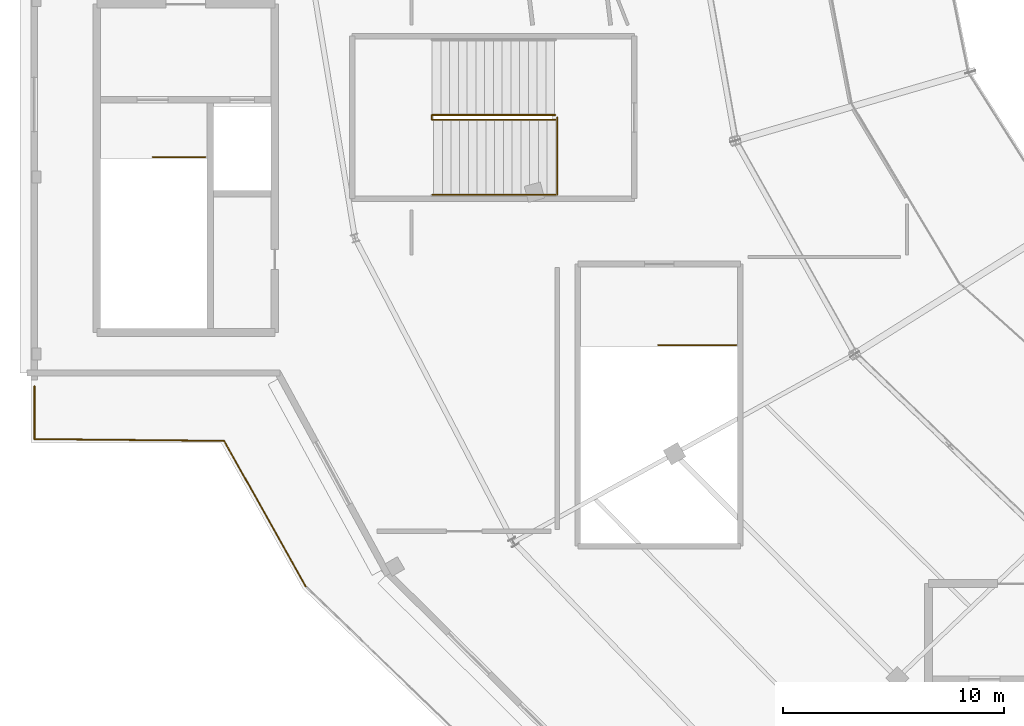
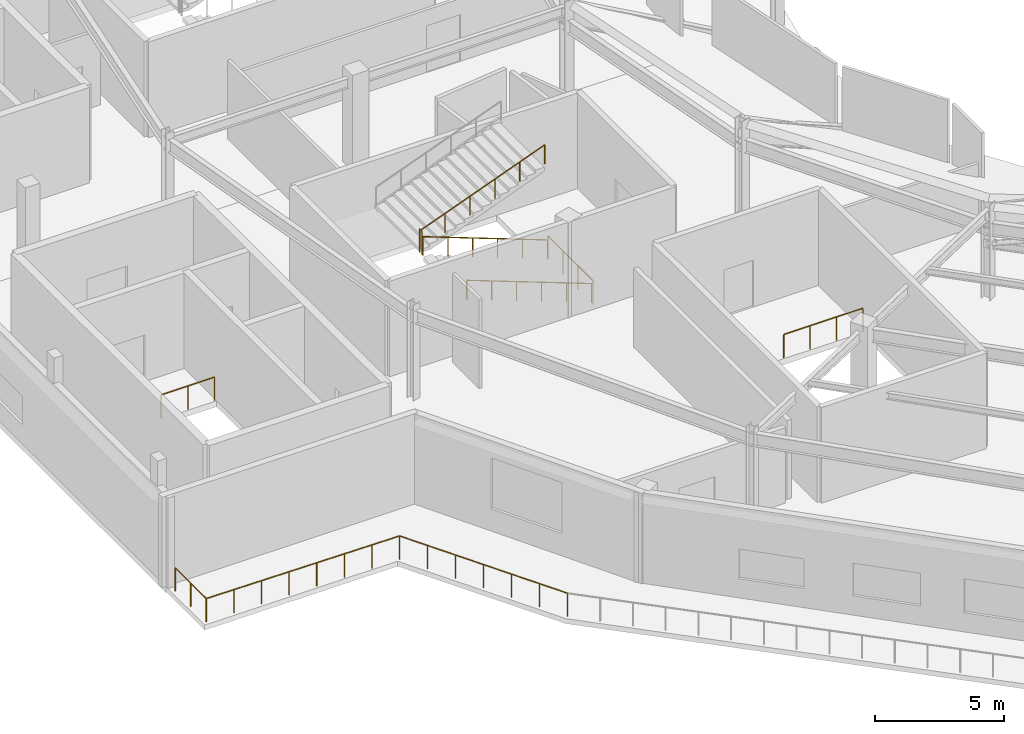
# One storey, part 47 of 63: 10 railings.
"""IFC4 building model written with IfcOpenShell, lengths in metres."""

from ifc_helpers import new_model, si_unit, direction, frame, origin, origin_2d, place, context, subcontext, project, spatial, circle, extrude, material, type_object, element, save


model = new_model("IFC4")

# Units and contexts
model_context = context("Model", 3, precision=1e-05, world=origin(), true_north=direction((0.0, 1.0)))
body_context = subcontext(model_context, "Body", "Model", "MODEL_VIEW")
ifc_project = project(units=[si_unit("LENGTHUNIT", "METRE"), si_unit("AREAUNIT", "SQUARE_METRE"), si_unit("VOLUMEUNIT", "CUBIC_METRE"), si_unit("PLANEANGLEUNIT", "RADIAN"), si_unit("MASSUNIT", "GRAM", prefix="KILO")], contexts=[model_context])

# Site, building, storey
site_placement = place(None, origin())
site = spatial("IfcSite", under=ifc_project, at=site_placement, CompositionType="ELEMENT")
building_placement = place(site_placement, origin())
building = spatial("IfcBuilding", under=site, at=building_placement, Name="Kalgoora Escarpment Arena", CompositionType="ELEMENT")
storey_placement = place(building_placement, frame((0.0, 0.0, 14.39990234375)))
storey = spatial("IfcBuildingStorey", under=building, at=storey_placement, Name="L03", CompositionType="ELEMENT", Elevation=14.39990234375)

# Railings
ifc_material_1 = material(Name="Galvanised & powdercoated tubular steel", Category="steel")
railing_type_1 = type_object("IfcRailingType", Name="RAL-GUARD-1120", PredefinedType="GUARDRAIL", material=ifc_material_1)
railing_1_placement = place(storey_placement, frame((16.2900390625, 52.909912109375, 0.0)))
element("IfcRailing", 1, at=railing_1_placement, inside=storey, type_object=railing_type_1, Name="ST02 top landing well guardrail", PredefinedType="GUARDRAIL", context=body_context, shape_type="SweptSolid", body=[
    extrude(circle(Radius=0.02392578125, at=origin_2d()), frame((0.0, 0.0, 1.09619140625), z_axis=(-1.0, 0.0, 0.0), x_axis=(0.0, -1.0, 0.0)), (0.0, 0.0, 1.0), 2.380126953125),
    extrude(circle(Radius=0.02099609375, at=origin_2d()), origin(), (0.0, 0.0, 1.0), 1.072021484375),
    extrude(circle(Radius=0.02099609375, at=origin_2d()), frame((-1.18994140625, 0.0, 0.0)), (0.0, 0.0, 1.0), 1.072021484375),
    extrude(circle(Radius=0.02099609375, at=origin_2d()), frame((-2.380126953125, 0.0, 0.0)), (0.0, 0.0, 1.0), 1.072021484375),
])
railing_2_placement = place(storey_placement, frame((26.52001953125, 54.60009765625, 2.25)))
element("IfcRailing", 2, at=railing_2_placement, inside=storey, type_object=railing_type_1, Name="ST18 L03 half-landing well guard", PredefinedType="GUARDRAIL", context=body_context, shape_type="SweptSolid", body=[
    extrude(circle(Radius=0.02392578125, at=origin_2d()), frame((0.0, 0.0, 1.09619140625), z_axis=(0.0, 1.0, 0.0), x_axis=(-1.0, 0.0, 0.0)), (0.0, 0.0, 1.0), 0.199951171875),
    extrude(circle(Radius=0.02099609375, at=origin_2d()), origin(), (0.0, 0.0, 1.0), 1.072021484375),
    extrude(circle(Radius=0.02099609375, at=origin_2d()), frame((0.0, 0.199951171875, 0.0)), (0.0, 0.0, 1.0), 1.072021484375),
])
railing_3_placement = place(storey_placement, frame((32.18994140625, 51.2099609375, 0.0)))
element("IfcRailing", 3, at=railing_3_placement, inside=storey, type_object=railing_type_1, Name="ST18 L03 floor landing well guard", PredefinedType="GUARDRAIL", context=body_context, shape_type="SweptSolid", body=[
    extrude(circle(Radius=0.02392578125, at=origin_2d()), frame((0.0, 0.0, 1.09619140625), z_axis=(0.0, 1.0, 0.0), x_axis=(-1.0, 0.0, 0.0)), (0.0, 0.0, 1.0), 3.489990234375),
    extrude(circle(Radius=0.02099609375, at=origin_2d()), origin(), (0.0, 0.0, 1.0), 1.072021484375),
    extrude(circle(Radius=0.02099609375, at=origin_2d()), frame((0.0, 1.163330078125, 0.0)), (0.0, 0.0, 1.0), 1.072021484375),
    extrude(circle(Radius=0.02099609375, at=origin_2d()), frame((0.0, 2.32666015625, 0.0)), (0.0, 0.0, 1.0), 1.072021484375),
    extrude(circle(Radius=0.02099609375, at=origin_2d()), frame((0.0, 3.489990234375, 0.0)), (0.0, 0.0, 1.0), 1.072021484375),
])
railing_4_placement = place(storey_placement, frame((40.2900390625, 44.409912109375, 0.0)))
element("IfcRailing", 4, at=railing_4_placement, inside=storey, type_object=railing_type_1, Name="ST20 top landing well guardrail", PredefinedType="GUARDRAIL", context=body_context, shape_type="SweptSolid", body=[
    extrude(circle(Radius=0.02392578125, at=origin_2d()), frame((0.0, 0.0, 1.09619140625), z_axis=(-1.0, 0.0, 0.0), x_axis=(0.0, -1.0, 0.0)), (0.0, 0.0, 1.0), 3.530029296875),
    extrude(circle(Radius=0.02099609375, at=origin_2d()), origin(), (0.0, 0.0, 1.0), 1.072021484375),
    extrude(circle(Radius=0.02099609375, at=origin_2d()), frame((-1.1767578125, 0.0, 0.0)), (0.0, 0.0, 1.0), 1.072021484375),
    extrude(circle(Radius=0.02099609375, at=origin_2d()), frame((-2.353271484375, 0.0, 0.0)), (0.0, 0.0, 1.0), 1.072021484375),
    extrude(circle(Radius=0.02099609375, at=origin_2d()), frame((-3.530029296875, 0.0, 0.0)), (0.0, 0.0, 1.0), 1.072021484375),
])
ifc_material_2 = material(Name="Brushed stainless steel 316 handrail", Category="steel")
railing_type_2 = type_object("IfcRailingType", Name="RAL-HAND-920", PredefinedType="HANDRAIL", material=ifc_material_2)
for number, where, name in (
    (5, (32.110107421875, 51.199951171875, 0.110107421875), "ST18 L03 pitched stair handrail F1L"),
    (6, (32.110107421875, 54.590087890625, 0.110107421875), "ST18 L03 pitched stair handrail F1R"),
):
    element("IfcRailing", number, at=place(storey_placement, frame(where)), inside=storey, type_object=railing_type_2, Name=name, PredefinedType="HANDRAIL", context=body_context, shape_type="SweptSolid", body=[
        extrude(circle(Radius=0.02392578125, at=origin_2d()), frame((0.0, 0.0, 0.89599609375), z_axis=(-0.935492612948, 0.0, 0.353346248203), x_axis=(0.0, -1.0, 0.0)), (0.0, 0.0, 1.0), 5.943359375),
        extrude(circle(Radius=0.02099609375, at=origin_2d()), origin(), (0.0, 0.0, 1.0), 0.871826171875),
        extrude(circle(Radius=0.02099609375, at=origin_2d()), frame((-1.112060546875, 0.0, 0.419921875)), (0.0, 0.0, 1.0), 0.871826171875),
        extrude(circle(Radius=0.02099609375, at=origin_2d()), frame((-2.22412109375, 0.0, 0.840087890625)), (0.0, 0.0, 1.0), 0.871826171875),
        extrude(circle(Radius=0.02099609375, at=origin_2d()), frame((-3.3359375, 0.0, 1.260009765625)), (0.0, 0.0, 1.0), 0.871826171875),
        extrude(circle(Radius=0.02099609375, at=origin_2d()), frame((-4.447998046875, 0.0, 1.68017578125)), (0.0, 0.0, 1.0), 0.871826171875),
        extrude(circle(Radius=0.02099609375, at=origin_2d()), frame((-5.56005859375, 0.0, 2.10009765625)), (0.0, 0.0, 1.0), 0.871826171875),
    ])
railing_5_placement = place(storey_placement, frame((26.550048828125, 54.81005859375, 2.360107421875)))
element("IfcRailing", 7, at=railing_5_placement, inside=storey, type_object=railing_type_2, Name="ST18 L03 pitched stair handrail F2L", PredefinedType="HANDRAIL", context=body_context, shape_type="SweptSolid", body=[
    extrude(circle(Radius=0.02392578125, at=origin_2d()), frame((0.0, 0.0, 0.89599609375), z_axis=(0.935492612948, 0.0, 0.353346248203), x_axis=(0.0, 1.0, 0.0)), (0.0, 0.0, 1.0), 5.943359375),
    extrude(circle(Radius=0.02099609375, at=origin_2d()), origin(), (0.0, 0.0, 1.0), 0.871826171875),
    extrude(circle(Radius=0.02099609375, at=origin_2d()), frame((1.112060546875, 0.0, 0.419921875)), (0.0, 0.0, 1.0), 0.871826171875),
    extrude(circle(Radius=0.02099609375, at=origin_2d()), frame((2.22412109375, 0.0, 0.840087890625)), (0.0, 0.0, 1.0), 0.871826171875),
    extrude(circle(Radius=0.02099609375, at=origin_2d()), frame((3.3359375, 0.0, 1.260009765625)), (0.0, 0.0, 1.0), 0.871826171875),
    extrude(circle(Radius=0.02099609375, at=origin_2d()), frame((4.447998046875, 0.0, 1.68017578125)), (0.0, 0.0, 1.0), 0.871826171875),
    extrude(circle(Radius=0.02099609375, at=origin_2d()), frame((5.56005859375, 0.0, 2.10009765625)), (0.0, 0.0, 1.0), 0.871826171875),
])
ifc_material_3 = material(Name="Champagne anodised aluminium & laminated glass", Category="aluminium")
railing_type_3 = type_object("IfcRailingType", Name="RAL-TERR-1100", PredefinedType="GUARDRAIL", material=ifc_material_3)
railing_6_placement = place(storey_placement, frame((20.821044921875, 33.498779296875, 0.0)))
element("IfcRailing", 8, at=railing_6_placement, inside=storey, type_object=railing_type_3, Name="Upper Planted Elliptical Garden Terrace perimeter guardrail 005", PredefinedType="GUARDRAIL", context=body_context, shape_type="SweptSolid", body=[
    extrude(circle(Radius=0.02392578125, at=origin_2d()), frame((0.0, 0.0, 1.09619140625), z_axis=(-0.488863575181, 0.872360249473, 0.0), x_axis=(-0.872360249473, -0.488863575181, 0.0)), (0.0, 0.0, 1.0), 7.5419921875),
    extrude(circle(Radius=0.02099609375, at=origin_2d()), origin(), (0.0, 0.0, 1.0), 1.072021484375),
    extrude(circle(Radius=0.02099609375, at=origin_2d()), frame((-0.614501953125, 1.0966796875, 0.0)), (0.0, 0.0, 1.0), 1.072021484375),
    extrude(circle(Radius=0.02099609375, at=origin_2d()), frame((-1.22900390625, 2.193115234375, 0.0)), (0.0, 0.0, 1.0), 1.072021484375),
    extrude(circle(Radius=0.02099609375, at=origin_2d()), frame((-1.843505859375, 3.28955078125, 0.0)), (0.0, 0.0, 1.0), 1.072021484375),
    extrude(circle(Radius=0.02099609375, at=origin_2d()), frame((-2.4580078125, 4.38623046875, 0.0)), (0.0, 0.0, 1.0), 1.072021484375),
    extrude(circle(Radius=0.02099609375, at=origin_2d()), frame((-3.072509765625, 5.48291015625, 0.0)), (0.0, 0.0, 1.0), 1.072021484375),
    extrude(circle(Radius=0.02099609375, at=origin_2d()), frame((-3.68701171875, 6.579345703125, 0.0)), (0.0, 0.0, 1.0), 1.072021484375),
])
railing_7_placement = place(storey_placement, frame((17.134033203125, 40.078125, 0.0)))
element("IfcRailing", 9, at=railing_7_placement, inside=storey, type_object=railing_type_3, Name="Upper Planted Elliptical Garden Terrace perimeter guardrail 006", PredefinedType="GUARDRAIL", context=body_context, shape_type="SweptSolid", body=[
    extrude(circle(Radius=0.02392578125, at=origin_2d()), frame((0.0, 0.0, 1.09619140625), z_axis=(-0.999954506882, 0.009538562026, 0.0), x_axis=(-0.009538562026, -0.999954506882, 0.0)), (0.0, 0.0, 1.0), 8.574462890625),
    extrude(circle(Radius=0.02099609375, at=origin_2d()), origin(), (0.0, 0.0, 1.0), 1.072021484375),
    extrude(circle(Radius=0.02099609375, at=origin_2d()), frame((-1.224853515625, 0.01171875, 0.0)), (0.0, 0.0, 1.0), 1.072021484375),
    extrude(circle(Radius=0.02099609375, at=origin_2d()), frame((-2.44970703125, 0.0234375, 0.0)), (0.0, 0.0, 1.0), 1.072021484375),
    extrude(circle(Radius=0.02099609375, at=origin_2d()), frame((-3.674560546875, 0.03515625, 0.0)), (0.0, 0.0, 1.0), 1.072021484375),
    extrude(circle(Radius=0.02099609375, at=origin_2d()), frame((-4.8994140625, 0.046630859375, 0.0)), (0.0, 0.0, 1.0), 1.072021484375),
    extrude(circle(Radius=0.02099609375, at=origin_2d()), frame((-6.124267578125, 0.058349609375, 0.0)), (0.0, 0.0, 1.0), 1.072021484375),
    extrude(circle(Radius=0.02099609375, at=origin_2d()), frame((-7.34912109375, 0.070068359375, 0.0)), (0.0, 0.0, 1.0), 1.072021484375),
    extrude(circle(Radius=0.02099609375, at=origin_2d()), frame((-8.573974609375, 0.081787109375, 0.0)), (0.0, 0.0, 1.0), 1.072021484375),
])
railing_8_placement = place(storey_placement, frame((8.56005859375, 40.159912109375, 0.0)))
element("IfcRailing", 10, at=railing_8_placement, inside=storey, type_object=railing_type_3, Name="Upper Planted Elliptical Garden Terrace perimeter guardrail 007", PredefinedType="GUARDRAIL", context=body_context, shape_type="SweptSolid", body=[
    extrude(circle(Radius=0.02392578125, at=origin_2d()), frame((0.0, 0.0, 1.09619140625), z_axis=(0.0, 1.0, 0.0), x_axis=(-1.0, 0.0, 0.0)), (0.0, 0.0, 1.0), 2.39013671875),
    extrude(circle(Radius=0.02099609375, at=origin_2d()), origin(), (0.0, 0.0, 1.0), 1.072021484375),
    extrude(circle(Radius=0.02099609375, at=origin_2d()), frame((0.0, 1.195068359375, 0.0)), (0.0, 0.0, 1.0), 1.072021484375),
    extrude(circle(Radius=0.02099609375, at=origin_2d()), frame((0.0, 2.39013671875, 0.0)), (0.0, 0.0, 1.0), 1.072021484375),
])

save(model, "model.ifc")
